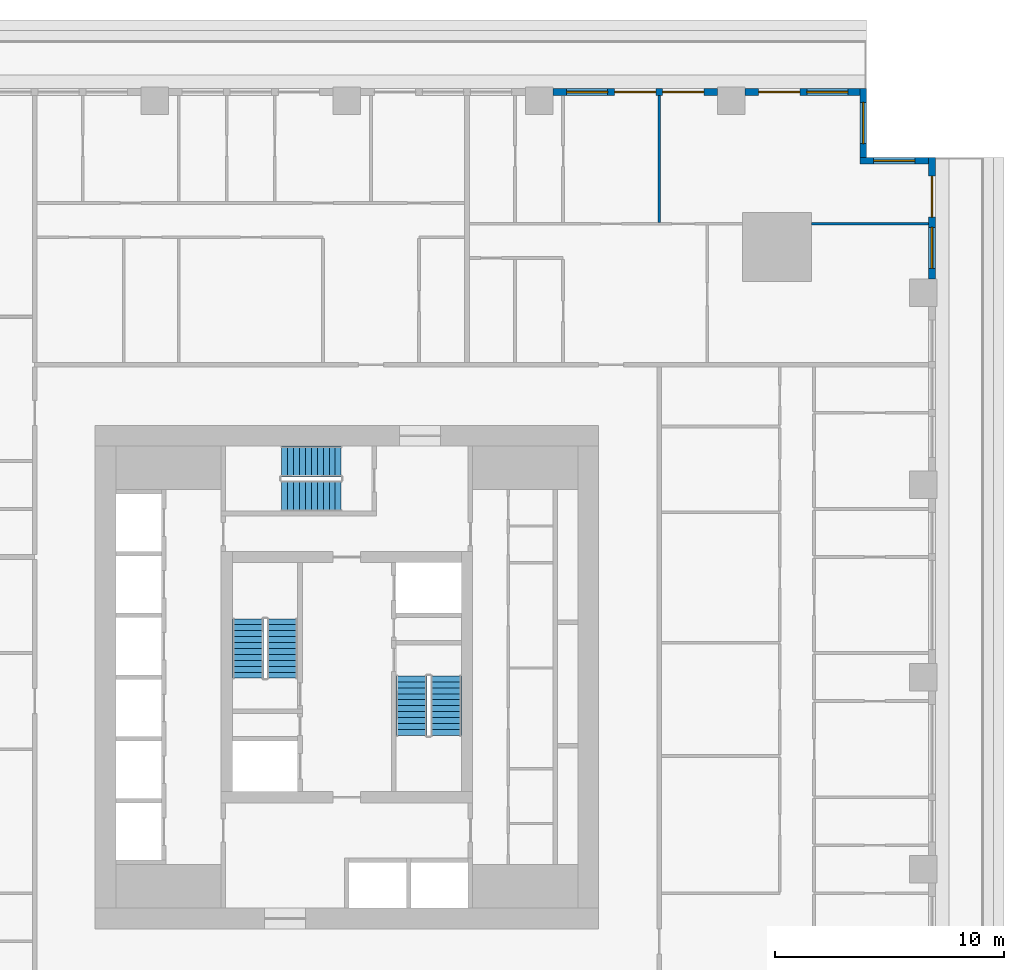
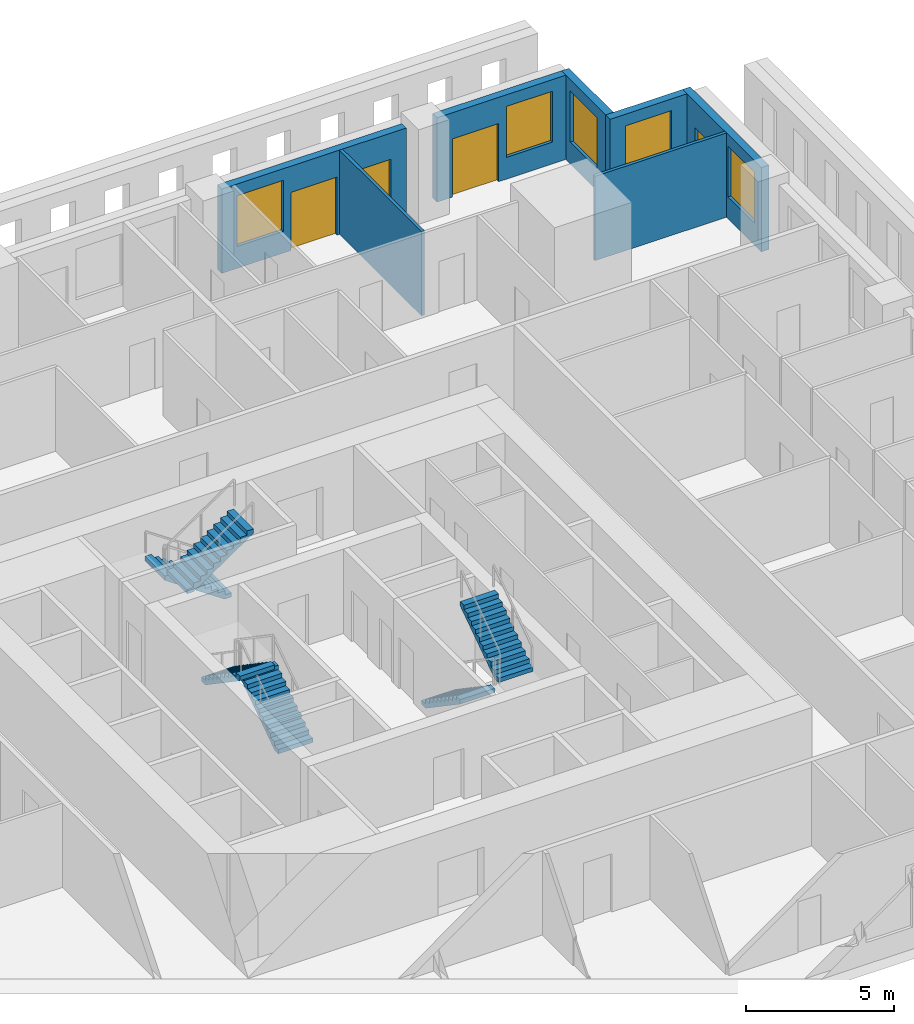
# One storey, part 10 of 15: 7 walls, 6 stair flights, 5 windows, 4 doors, 9 openings, 3 elements without a shape of their own.
"""IFC4 building model written with IfcOpenShell, lengths in metres."""

import ifcopenshell
import ifcopenshell.guid

model = None  # the IFC model being written
_history = None  # IfcOwnerHistory: only IFC2X3 demands one
_inside = {}  # id of a spatial element -> (the spatial element, [elements in it])
_under = {}  # id of a project, library or spatial element -> (it, [spatial elements below it])
_declared = {}  # id of a project -> (the project, [libraries it declares])
_typed = {}  # id of a type object -> (the type object, [elements of that type])
_made_of = {}  # id of a material, layer set ... -> (it, [elements and type objects made of it])


def new_model(schema):
    """Start an empty IFC model of exactly this schema.

    Asked for "IFC4X3", IfcOpenShell would pick the latest addendum, in which some entities
    have other attributes; the version numbers below select the first issue.
    IFC2X3 requires an IfcOwnerHistory on every rooted entity: one is made here for all.
    """
    global model, _history
    if schema == "IFC4X3":
        model = ifcopenshell.file(schema_version=(4, 3, 0, 0))
    else:
        model = ifcopenshell.file(schema=schema)
    _inside.clear()
    _under.clear()
    _declared.clear()
    _typed.clear()
    _made_of.clear()
    _history = None
    if model.schema == "IFC2X3":
        org = make("IfcOrganization", Name="unknown")
        user = make(
            "IfcPersonAndOrganization",
            ThePerson=make("IfcPerson", FamilyName="unknown"),
            TheOrganization=org,
        )
        app = make(
            "IfcApplication",
            ApplicationDeveloper=org,
            Version="unknown",
            ApplicationFullName="unknown",
            ApplicationIdentifier="unknown",
        )
        _history = make(
            "IfcOwnerHistory",
            OwningUser=user,
            OwningApplication=app,
            ChangeAction="ADDED",
            CreationDate=0,
        )
    return model


def make(cls, **values):
    """One entity of the class cls with the attributes given. An attribute that is None is left unset."""
    return model.create_entity(
        cls, **{name: value for name, value in values.items() if value is not None}
    )


def rooted(cls, **values):
    """An entity with a GlobalId (a new one), such as an element, a storey or a relation."""
    return make(cls, GlobalId=ifcopenshell.guid.new(), OwnerHistory=_history, **values)


def si_unit(unit_type, name, prefix=None):
    """IfcSIUnit, for example si_unit("LENGTHUNIT", "METRE", prefix="MILLI")."""
    return make("IfcSIUnit", UnitType=unit_type, Prefix=prefix, Name=name)


def assignment(units):
    """IfcUnitAssignment: the units of a project."""
    return None if units is None else make("IfcUnitAssignment", Units=units)


def point(xyz):
    """IfcCartesianPoint."""
    return None if xyz is None else make("IfcCartesianPoint", Coordinates=xyz)


def direction(xyz):
    """IfcDirection."""
    return None if xyz is None else make("IfcDirection", DirectionRatios=xyz)


def frame(location, z_axis=None, x_axis=None):
    """IfcAxis2Placement3D, a coordinate frame: its origin and axes. An axis left out is left unset."""
    return make(
        "IfcAxis2Placement3D",
        Location=point(location),
        Axis=direction(z_axis),
        RefDirection=direction(x_axis),
    )


def frame_2d(location, x_axis=None):
    """IfcAxis2Placement2D, a coordinate frame in the plane: its origin and x axis."""
    return make(
        "IfcAxis2Placement2D", Location=point(location), RefDirection=direction(x_axis)
    )


def origin():
    """The frame at (0, 0, 0) with its axes left unset."""
    return frame((0.0, 0.0, 0.0))


def place(relative_to, where):
    """IfcLocalPlacement: puts the frame where relative to a parent placement (None: the world)."""
    return make(
        "IfcLocalPlacement", PlacementRelTo=relative_to, RelativePlacement=where
    )


def context(
    kind, dimensions, precision=None, world=None, true_north=None, identifier=None
):
    """IfcGeometricRepresentationContext, for example the 3D "Model" context."""
    return make(
        "IfcGeometricRepresentationContext",
        ContextIdentifier=identifier,
        ContextType=kind,
        CoordinateSpaceDimension=dimensions,
        Precision=precision,
        WorldCoordinateSystem=world,
        TrueNorth=true_north,
    )


def subcontext(parent, identifier, kind, view, scale=None):
    """IfcGeometricRepresentationSubContext, for example "Body" below "Model"."""
    return make(
        "IfcGeometricRepresentationSubContext",
        ContextIdentifier=identifier,
        ContextType=kind,
        ParentContext=parent,
        TargetScale=scale,
        TargetView=view,
    )


def project(units=None, contexts=None):
    """IfcProject with its units and contexts."""
    return rooted(
        "IfcProject",
        Name="project",
        RepresentationContexts=contexts,
        UnitsInContext=assignment(units),
    )


def spatial(cls, under=None, at=None, **own):
    """A site, building, storey or space (cls), placed at a placement, below another one or the project."""
    s = rooted(cls, ObjectPlacement=at, **own)
    if under is not None:
        _under.setdefault(under.id(), (under, []))[1].append(s)
    return s


def polyline(points):
    """IfcPolyline through the points."""
    return make("IfcPolyline", Points=[point(p) for p in points])


def profile(cls, at=None, kind="AREA", **sizes):
    """A parametric profile (cls). Its sizes go by their IFC names, for example OverallWidth=200.0."""
    return make(cls, ProfileType=kind, Position=at, **sizes)


def rectangle(**sizes):
    """IfcRectangleProfileDef."""
    return profile("IfcRectangleProfileDef", **sizes)


def outline(outer, holes=None, kind="AREA"):
    """IfcArbitraryClosedProfileDef: a profile drawn as a closed curve; with holes, ...WithVoids."""
    if holes is None:
        return make("IfcArbitraryClosedProfileDef", ProfileType=kind, OuterCurve=outer)
    return make(
        "IfcArbitraryProfileDefWithVoids",
        ProfileType=kind,
        OuterCurve=outer,
        InnerCurves=holes,
    )


def extrude(swept, where, along, depth):
    """IfcExtrudedAreaSolid: the profile swept, set in the frame where, extruded along a direction by depth."""
    return make(
        "IfcExtrudedAreaSolid",
        SweptArea=swept,
        Position=where,
        ExtrudedDirection=direction(along),
        Depth=depth,
    )


def shape(context_of_items, identifier, shape_type, items):
    """IfcShapeRepresentation: the items that make up one representation, for example the "Body"."""
    return make(
        "IfcShapeRepresentation",
        ContextOfItems=context_of_items,
        RepresentationIdentifier=identifier,
        RepresentationType=shape_type,
        Items=items,
    )


def material(Name=None, Category=None):
    """IfcMaterial."""
    return make("IfcMaterial", Name=Name, Category=Category)


def layer(
    of_material, thickness, ventilated=None, Name=None, Category=None, Priority=None
):
    """IfcMaterialLayer: one layer of a wall or slab, of a material (None: an air gap)."""
    return make(
        "IfcMaterialLayer",
        Material=of_material,
        LayerThickness=thickness,
        IsVentilated=ventilated,
        Name=Name,
        Category=Category,
        Priority=Priority,
    )


def layer_set(layers, Name=None):
    """IfcMaterialLayerSet."""
    return make("IfcMaterialLayerSet", MaterialLayers=layers, LayerSetName=Name)


def made_of(thing, what):
    """Note that an element or type object is made of a material, layer set ...; save() writes the relation."""
    if what is not None:
        _made_of.setdefault(what.id(), (what, []))[1].append(thing)
    return thing


def type_object(cls, material=None, **own):
    """A type object (cls), such as IfcWallType, which elements share."""
    return made_of(rooted(cls, **own), material)


def element(
    cls,
    number,
    at=None,
    inside=None,
    cuts=None,
    type_object=None,
    material=None,
    context=None,
    identifier="Body",
    shape_type=None,
    held_by="IfcProductDefinitionShape",
    body=None,
    shapes=None,
    **own,
):
    """One element of the class cls, such as IfcWall. Its Tag is "e" and its number.

    at: its placement. inside: the storey or other place that contains it. cuts: it is an
    opening in that element (IfcRelVoidsElement). A single representation is given by context,
    identifier, shape_type and body (its items); several are given by shapes. held_by: the class
    of the entity that holds the representations. save() writes the other relations.
    """
    e = rooted(cls, Tag="e%d" % number, ObjectPlacement=at, **own)
    if body is not None:
        shapes = [shape(context, identifier, shape_type, body)]
    if shapes is not None:
        e.Representation = make(held_by, Representations=shapes)
    if inside is not None:
        _inside.setdefault(inside.id(), (inside, []))[1].append(e)
    if cuts is not None:
        rooted(
            "IfcRelVoidsElement", RelatingBuildingElement=cuts, RelatedOpeningElement=e
        )
    if type_object is not None:
        _typed.setdefault(type_object.id(), (type_object, []))[1].append(e)
    return made_of(e, material)


def fill(opening, filler):
    """IfcRelFillsElement: the door or window that sits in an opening."""
    return rooted(
        "IfcRelFillsElement",
        RelatingOpeningElement=opening,
        RelatedBuildingElement=filler,
    )


def aggregate(whole, parts):
    """IfcRelAggregates: a whole, such as a stair, and the parts it consists of."""
    return rooted("IfcRelAggregates", RelatingObject=whole, RelatedObjects=parts)


def save(model, path):
    """Write the relations noted so far, then the file.

    IfcRelAggregates (storeys below a building ...), IfcRelContainedInSpatialStructure (elements
    in a storey), IfcRelDefinesByType, IfcRelAssociatesMaterial and IfcRelDeclares: one each for
    every whole, place, type object, material and project.
    """
    for whole, parts in _under.values():
        aggregate(whole, parts)
    for where, things in _inside.values():
        rooted(
            "IfcRelContainedInSpatialStructure",
            RelatedElements=things,
            RelatingStructure=where,
        )
    for kind, things in _typed.values():
        rooted("IfcRelDefinesByType", RelatedObjects=things, RelatingType=kind)
    for what, things in _made_of.values():
        rooted("IfcRelAssociatesMaterial", RelatedObjects=things, RelatingMaterial=what)
    for by, libraries in _declared.values():
        rooted("IfcRelDeclares", RelatingContext=by, RelatedDefinitions=libraries)
    model.write(path)


model = new_model("IFC4")

# Units and contexts
model_context = context("Model", 3, precision=1e-05, world=origin(), true_north=direction((0.0, 1.0)))
body_context = subcontext(model_context, "Body", "Model", "MODEL_VIEW")
ifc_project = project(units=[si_unit("LENGTHUNIT", "METRE"), si_unit("AREAUNIT", "SQUARE_METRE"), si_unit("VOLUMEUNIT", "CUBIC_METRE"), si_unit("PLANEANGLEUNIT", "RADIAN"), si_unit("MASSUNIT", "GRAM", prefix="KILO")], contexts=[model_context])

# Site, building, storey
site_placement = place(None, origin())
site = spatial("IfcSite", under=ifc_project, at=site_placement, CompositionType="ELEMENT")
building_placement = place(site_placement, origin())
building = spatial("IfcBuilding", under=site, at=building_placement, Name="Khepri Terraces", CompositionType="ELEMENT")
storey_placement = place(building_placement, frame((0.0, 0.0, 54.300048828125)))
storey = spatial("IfcBuildingStorey", under=building, at=storey_placement, Name="L12", CompositionType="ELEMENT", Elevation=54.300048828125)

# Wall, openings, door, window
ifc_material_1 = material(Name="Precast concrete C50/60 warm stone", Category="masonry")
ifc_layer_1 = layer(ifc_material_1, 0.300048828125, Name="Precast concrete C50/60 warm stone", Category="masonry")
ifc_layer_set_1 = layer_set([ifc_layer_1], Name="Precast concrete C50/60 warm stone")
wall_type_1 = type_object("IfcWallType", Name="WL-EXT-PRECAST-300", PredefinedType="STANDARD", material=ifc_layer_set_1)
wall_1_placement = place(storey_placement, frame((25.570068359375, 17.39990234375, 0.0), z_axis=(0.0, 0.0, 1.0), x_axis=(0.0, 1.0, 0.0)))
wall_1 = element("IfcWall", 1, at=wall_1_placement, inside=storey, type_object=wall_type_1, Name="External wall L12 E", PredefinedType="STANDARD", context=body_context, shape_type="SweptSolid", body=[
    extrude(rectangle(XDim=5.320068359375, YDim=0.300048828125, at=frame_2d((2.66015625, 0.0))), origin(), (0.0, 0.0, 1.0), 3.47998046875),
])
opening_1_placement = place(wall_1_placement, frame((2.699951171875, 0.0, 0.0)))
opening_1 = element("IfcOpeningElement", 2, at=opening_1_placement, cuts=wall_1, Name="Opening ED-L12-04", PredefinedType="OPENING", context=body_context, shape_type="SweptSolid", body=[
    extrude(rectangle(XDim=1.800048828125, YDim=2.39990234375, at=frame_2d((0.89990234375, 1.199951171875))), frame((0.0, 0.16015625, 0.0), z_axis=(0.0, -1.0, 0.0), x_axis=(1.0, 0.0, 0.0)), (0.0, 0.0, 1.0), 0.320068359375),
])
opening_2_placement = place(wall_1_placement, frame((0.4599609375, 0.0, 0.89990234375)))
opening_2 = element("IfcOpeningElement", 3, at=opening_2_placement, cuts=wall_1, Name="Opening W1", PredefinedType="OPENING", context=body_context, shape_type="SweptSolid", body=[
    extrude(rectangle(XDim=1.800048828125, YDim=2.10009765625, at=frame_2d((0.89990234375, 1.050048828125))), frame((0.0, 0.16015625, 0.0), z_axis=(0.0, -1.0, 0.0), x_axis=(1.0, 0.0, 0.0)), (0.0, 0.0, 1.0), 0.320068359375),
])
ifc_material_2 = material(Name="Anodised aluminium bronze glazed door", Category="aluminium")
door_type = type_object("IfcDoorType", Name="DR-BAL-SLIDE-1800x2400", OperationType="NOTDEFINED", PredefinedType="DOOR", material=ifc_material_2)
door_1_placement = place(opening_1_placement, origin())
door_1 = element("IfcDoor", 4, at=door_1_placement, inside=storey, type_object=door_type, Name="Balcony door L12 E", OperationType="SLIDING_TO_LEFT", OverallHeight=2.39990234375, OverallWidth=1.800048828125, PredefinedType="DOOR", context=body_context, shape_type="SweptSolid", body=[
    extrude(rectangle(XDim=1.800048828125, YDim=2.39990234375, at=frame_2d((0.89990234375, 1.199951171875))), frame((0.0, 0.02490234375, 0.0), z_axis=(0.0, -1.0, 0.0), x_axis=(1.0, 0.0, 0.0)), (0.0, 0.0, 1.0), 0.050048828125),
])
fill(opening_1, door_1)
ifc_material_3 = material(Name="Clear glass", Category="glass")
window_type = type_object("IfcWindowType", Name="WIN-RES-1800x2100", PartitioningType="SINGLE_PANEL", PredefinedType="WINDOW", material=ifc_material_3)
window_1_placement = place(opening_2_placement, origin())
window_1 = element("IfcWindow", 5, at=window_1_placement, inside=storey, type_object=window_type, Name="Window L12 E", OverallHeight=2.10009765625, OverallWidth=1.800048828125, PartitioningType="SINGLE_PANEL", PredefinedType="WINDOW", context=body_context, shape_type="SweptSolid", body=[
    extrude(rectangle(XDim=1.800048828125, YDim=2.10009765625, at=frame_2d((0.89990234375, 1.050048828125))), frame((0.0, 0.030029296875, 0.0), z_axis=(0.0, -1.0, 0.0), x_axis=(1.0, 0.0, 0.0)), (0.0, 0.0, 1.0), 0.06005859375),
])
fill(opening_2, window_1)

# Wall, opening, window
wall_2_placement = place(storey_placement, frame((25.419921875, 22.570068359375, 0.0), z_axis=(0.0, 0.0, 1.0), x_axis=(-1.0, 0.0, 0.0)))
wall_2 = element("IfcWall", 6, at=wall_2_placement, inside=storey, type_object=wall_type_1, Name="External wall L12 N", PredefinedType="STANDARD", context=body_context, shape_type="SweptSolid", body=[
    extrude(rectangle(XDim=3.0, YDim=0.300048828125, at=frame_2d((1.5, 0.0))), origin(), (0.0, 0.0, 1.0), 3.47998046875),
])
opening_3_placement = place(wall_2_placement, frame((0.60009765625, 0.0, 0.89990234375)))
opening_3 = element("IfcOpeningElement", 7, at=opening_3_placement, cuts=wall_2, Name="Opening W1", PredefinedType="OPENING", context=body_context, shape_type="SweptSolid", body=[
    extrude(rectangle(XDim=1.800048828125, YDim=2.10009765625, at=frame_2d((0.89990234375, 1.050048828125))), frame((0.0, 0.16015625, 0.0), z_axis=(0.0, -1.0, 0.0), x_axis=(1.0, 0.0, 0.0)), (0.0, 0.0, 1.0), 0.320068359375),
])
window_2_placement = place(opening_3_placement, origin())
window_2 = element("IfcWindow", 8, at=window_2_placement, inside=storey, type_object=window_type, Name="Window L12 N", OverallHeight=2.10009765625, OverallWidth=1.800048828125, PartitioningType="SINGLE_PANEL", PredefinedType="WINDOW", context=body_context, shape_type="SweptSolid", body=[
    extrude(rectangle(XDim=1.800048828125, YDim=2.10009765625, at=frame_2d((0.89990234375, 1.050048828125))), frame((0.0, 0.030029296875, 0.0), z_axis=(0.0, -1.0, 0.0), x_axis=(1.0, 0.0, 0.0)), (0.0, 0.0, 1.0), 0.06005859375),
])
fill(opening_3, window_2)

wall_3_placement = place(storey_placement, frame((22.570068359375, 22.719970703125, 0.0), z_axis=(0.0, 0.0, 1.0), x_axis=(0.0, 1.0, 0.0)))
wall_3 = element("IfcWall", 9, at=wall_3_placement, inside=storey, type_object=wall_type_1, Name="External wall L12 E", PredefinedType="STANDARD", context=body_context, shape_type="SweptSolid", body=[
    extrude(rectangle(XDim=3.0, YDim=0.300048828125, at=frame_2d((1.5, 0.0))), origin(), (0.0, 0.0, 1.0), 3.47998046875),
])
opening_4_placement = place(wall_3_placement, frame((0.60009765625, 0.0, 0.89990234375)))
opening_4 = element("IfcOpeningElement", 10, at=opening_4_placement, cuts=wall_3, Name="Opening W1", PredefinedType="OPENING", context=body_context, shape_type="SweptSolid", body=[
    extrude(rectangle(XDim=1.800048828125, YDim=2.10009765625, at=frame_2d((0.89990234375, 1.050048828125))), frame((0.0, 0.16015625, 0.0), z_axis=(0.0, -1.0, 0.0), x_axis=(1.0, 0.0, 0.0)), (0.0, 0.0, 1.0), 0.320068359375),
])
window_3_placement = place(opening_4_placement, origin())
window_3 = element("IfcWindow", 11, at=window_3_placement, inside=storey, type_object=window_type, Name="Window L12 E", OverallHeight=2.10009765625, OverallWidth=1.800048828125, PartitioningType="SINGLE_PANEL", PredefinedType="WINDOW", context=body_context, shape_type="SweptSolid", body=[
    extrude(rectangle(XDim=1.800048828125, YDim=2.10009765625, at=frame_2d((0.89990234375, 1.050048828125))), frame((0.0, 0.030029296875, 0.0), z_axis=(0.0, -1.0, 0.0), x_axis=(1.0, 0.0, 0.0)), (0.0, 0.0, 1.0), 0.06005859375),
])
fill(opening_4, window_3)

# Wall, openings, door, window
wall_4_placement = place(storey_placement, frame((22.419921875, 25.570068359375, 0.0), z_axis=(0.0, 0.0, 1.0), x_axis=(-1.0, 0.0, 0.0)))
wall_4 = element("IfcWall", 12, at=wall_4_placement, inside=storey, type_object=wall_type_1, Name="External wall L12 N", PredefinedType="STANDARD", context=body_context, shape_type="SweptSolid", body=[
    extrude(rectangle(XDim=5.02001953125, YDim=0.300048828125, at=frame_2d((2.510009765625, 0.0))), origin(), (0.0, 0.0, 1.0), 3.47998046875),
])
opening_5_placement = place(wall_4_placement, frame((0.52001953125, 0.0, 0.89990234375)))
opening_5 = element("IfcOpeningElement", 13, at=opening_5_placement, cuts=wall_4, Name="Opening W1", PredefinedType="OPENING", context=body_context, shape_type="SweptSolid", body=[
    extrude(rectangle(XDim=1.800048828125, YDim=2.10009765625, at=frame_2d((0.89990234375, 1.050048828125))), frame((0.0, 0.16015625, 0.0), z_axis=(0.0, -1.0, 0.0), x_axis=(1.0, 0.0, 0.0)), (0.0, 0.0, 1.0), 0.320068359375),
])
opening_6_placement = place(wall_4_placement, frame((2.6201171875, 0.0, 0.0)))
opening_6 = element("IfcOpeningElement", 14, at=opening_6_placement, cuts=wall_4, Name="Opening ED-L12-05", PredefinedType="OPENING", context=body_context, shape_type="SweptSolid", body=[
    extrude(rectangle(XDim=1.800048828125, YDim=2.39990234375, at=frame_2d((0.89990234375, 1.199951171875))), frame((0.0, 0.16015625, 0.0), z_axis=(0.0, -1.0, 0.0), x_axis=(1.0, 0.0, 0.0)), (0.0, 0.0, 1.0), 0.320068359375),
])
door_2_placement = place(opening_6_placement, origin())
door_2 = element("IfcDoor", 15, at=door_2_placement, inside=storey, type_object=door_type, Name="Balcony door L12 N", OperationType="SLIDING_TO_RIGHT", OverallHeight=2.39990234375, OverallWidth=1.800048828125, PredefinedType="DOOR", context=body_context, shape_type="SweptSolid", body=[
    extrude(rectangle(XDim=1.800048828125, YDim=2.39990234375, at=frame_2d((0.89990234375, 1.199951171875))), frame((0.0, 0.02490234375, 0.0), z_axis=(0.0, -1.0, 0.0), x_axis=(1.0, 0.0, 0.0)), (0.0, 0.0, 1.0), 0.050048828125),
])
fill(opening_6, door_2)
window_4_placement = place(opening_5_placement, origin())
window_4 = element("IfcWindow", 16, at=window_4_placement, inside=storey, type_object=window_type, Name="Window L12 N", OverallHeight=2.10009765625, OverallWidth=1.800048828125, PartitioningType="SINGLE_PANEL", PredefinedType="WINDOW", context=body_context, shape_type="SweptSolid", body=[
    extrude(rectangle(XDim=1.800048828125, YDim=2.10009765625, at=frame_2d((0.89990234375, 1.050048828125))), frame((0.0, 0.030029296875, 0.0), z_axis=(0.0, -1.0, 0.0), x_axis=(1.0, 0.0, 0.0)), (0.0, 0.0, 1.0), 0.06005859375),
])
fill(opening_5, window_4)

# Wall, openings, doors, window
wall_5_placement = place(storey_placement, frame((16.199951171875, 25.570068359375, 0.0), z_axis=(0.0, 0.0, 1.0), x_axis=(-1.0, 0.0, 0.0)))
wall_5 = element("IfcWall", 17, at=wall_5_placement, inside=storey, type_object=wall_type_1, Name="External wall L12 N", PredefinedType="STANDARD", context=body_context, shape_type="SweptSolid", body=[
    extrude(rectangle(XDim=7.199951171875, YDim=0.300048828125, at=frame_2d((3.60009765625, 0.0))), origin(), (0.0, 0.0, 1.0), 3.47998046875),
])
opening_7_placement = place(wall_5_placement, frame((0.60009765625, 0.0, 0.0)))
opening_7 = element("IfcOpeningElement", 18, at=opening_7_placement, cuts=wall_5, Name="Opening ED-L12-06", PredefinedType="OPENING", context=body_context, shape_type="SweptSolid", body=[
    extrude(rectangle(XDim=1.800048828125, YDim=2.39990234375, at=frame_2d((0.89990234375, 1.199951171875))), frame((0.0, 0.16015625, 0.0), z_axis=(0.0, -1.0, 0.0), x_axis=(1.0, 0.0, 0.0)), (0.0, 0.0, 1.0), 0.320068359375),
])
opening_8_placement = place(wall_5_placement, frame((2.699951171875, 0.0, 0.0)))
opening_8 = element("IfcOpeningElement", 19, at=opening_8_placement, cuts=wall_5, Name="Opening ED-L12-07", PredefinedType="OPENING", context=body_context, shape_type="SweptSolid", body=[
    extrude(rectangle(XDim=1.800048828125, YDim=2.39990234375, at=frame_2d((0.89990234375, 1.199951171875))), frame((0.0, 0.16015625, 0.0), z_axis=(0.0, -1.0, 0.0), x_axis=(1.0, 0.0, 0.0)), (0.0, 0.0, 1.0), 0.320068359375),
])
opening_9_placement = place(wall_5_placement, frame((4.800048828125, 0.0, 0.89990234375)))
opening_9 = element("IfcOpeningElement", 20, at=opening_9_placement, cuts=wall_5, Name="Opening W1", PredefinedType="OPENING", context=body_context, shape_type="SweptSolid", body=[
    extrude(rectangle(XDim=1.800048828125, YDim=2.10009765625, at=frame_2d((0.89990234375, 1.050048828125))), frame((0.0, 0.16015625, 0.0), z_axis=(0.0, -1.0, 0.0), x_axis=(1.0, 0.0, 0.0)), (0.0, 0.0, 1.0), 0.320068359375),
])
door_3_placement = place(opening_7_placement, origin())
door_3 = element("IfcDoor", 21, at=door_3_placement, inside=storey, type_object=door_type, Name="Balcony door L12 N", OperationType="SLIDING_TO_LEFT", OverallHeight=2.39990234375, OverallWidth=1.800048828125, PredefinedType="DOOR", context=body_context, shape_type="SweptSolid", body=[
    extrude(rectangle(XDim=1.800048828125, YDim=2.39990234375, at=frame_2d((0.89990234375, 1.199951171875))), frame((0.0, 0.02490234375, 0.0), z_axis=(0.0, -1.0, 0.0), x_axis=(1.0, 0.0, 0.0)), (0.0, 0.0, 1.0), 0.050048828125),
])
fill(opening_7, door_3)
door_4_placement = place(opening_8_placement, origin())
door_4 = element("IfcDoor", 22, at=door_4_placement, inside=storey, type_object=door_type, Name="Balcony door L12 N", OperationType="SLIDING_TO_RIGHT", OverallHeight=2.39990234375, OverallWidth=1.800048828125, PredefinedType="DOOR", context=body_context, shape_type="SweptSolid", body=[
    extrude(rectangle(XDim=1.800048828125, YDim=2.39990234375, at=frame_2d((0.89990234375, 1.199951171875))), frame((0.0, 0.02490234375, 0.0), z_axis=(0.0, -1.0, 0.0), x_axis=(1.0, 0.0, 0.0)), (0.0, 0.0, 1.0), 0.050048828125),
])
fill(opening_8, door_4)
window_5_placement = place(opening_9_placement, origin())
window_5 = element("IfcWindow", 23, at=window_5_placement, inside=storey, type_object=window_type, Name="Window L12 N", OverallHeight=2.10009765625, OverallWidth=1.800048828125, PartitioningType="SINGLE_PANEL", PredefinedType="WINDOW", context=body_context, shape_type="SweptSolid", body=[
    extrude(rectangle(XDim=1.800048828125, YDim=2.10009765625, at=frame_2d((0.89990234375, 1.050048828125))), frame((0.0, 0.030029296875, 0.0), z_axis=(0.0, -1.0, 0.0), x_axis=(1.0, 0.0, 0.0)), (0.0, 0.0, 1.0), 0.06005859375),
])
fill(opening_9, window_5)

# Walls
ifc_material_4 = material(Name="Gypsum plasterboard partition")
ifc_layer_2 = layer(ifc_material_4, 0.1201171875, Name="Gypsum plasterboard partition")
ifc_layer_set_2 = layer_set([ifc_layer_2], Name="Gypsum plasterboard partition")
wall_type_2 = type_object("IfcWallType", Name="WL-PART-120", PredefinedType="PARTITIONING", material=ifc_layer_set_2)
wall_6_placement = place(storey_placement, frame((20.300048828125, 19.820068359375, 0.0), z_axis=(0.0, 0.0, 1.0), x_axis=(1.0, 0.0, 0.0)))
element("IfcWall", 24, at=wall_6_placement, inside=storey, type_object=wall_type_2, Name="Partition P-099 L12", PredefinedType="PARTITIONING", context=body_context, shape_type="SweptSolid", body=[
    extrude(rectangle(XDim=5.119873046875, YDim=0.1201171875, at=frame_2d((2.56005859375, 0.0))), origin(), (0.0, 0.0, 1.0), 3.47998046875),
])
wall_7_placement = place(storey_placement, frame((13.64990234375, 19.8798828125, 0.0), z_axis=(0.0, 0.0, 1.0), x_axis=(0.0, 1.0, 0.0)))
element("IfcWall", 25, at=wall_7_placement, inside=storey, type_object=wall_type_2, Name="Partition P-102 L12", PredefinedType="PARTITIONING", context=body_context, shape_type="SweptSolid", body=[
    extrude(rectangle(XDim=5.5400390625, YDim=0.1201171875, at=frame_2d((2.77001953125, 0.0))), origin(), (0.0, 0.0, 1.0), 3.47998046875),
])

# Stair, stair flights
ifc_material_5 = material(Name="Concrete C40/50", Category="concrete")
stair_type = type_object("IfcStairType", Name="STAIR-RC-22R", PredefinedType="HALF_TURN_STAIR", material=ifc_material_5)
stair_1_placement = place(storey_placement, origin())
stair_1 = element("IfcStair", 26, at=stair_1_placement, inside=storey, type_object=stair_type, Name="L12 Exit Stair ST-1", PredefinedType="HALF_TURN_STAIR")
stair_flight_type = type_object("IfcStairFlightType", Name="SFL-RC-177.3", PredefinedType="STRAIGHT", material=ifc_material_5)
stair_flight_1_placement = place(storey_placement, frame((-2.824951171875, -0.050048828125, 0.0), z_axis=(0.0, 0.0, 1.0), x_axis=(0.0, 1.0, 0.0)))
stair_flight_1 = element("IfcStairFlight", 27, at=stair_flight_1_placement, type_object=stair_flight_type, Name="ST-1 flight 1", NumberOfRisers=11, NumberOfTreads=10, PredefinedType="STRAIGHT", RiserHeight=0.177272727, TreadLength=0.26, context=body_context, shape_type="SweptSolid", body=[
    extrude(outline(polyline([(0.0, 0.0), (0.0, 0.17724609375), (0.260009765625, 0.17724609375), (0.260009765625, 0.3544921875), (0.52001953125, 0.3544921875), (0.52001953125, 0.53173828125), (0.780029296875, 0.53173828125), (0.780029296875, 0.708984375), (1.0400390625, 0.708984375), (1.0400390625, 0.886474609375), (1.300048828125, 0.886474609375), (1.300048828125, 1.063720703125), (1.56005859375, 1.063720703125), (1.56005859375, 1.240966796875), (1.820068359375, 1.240966796875), (1.820068359375, 1.418212890625), (2.080078125, 1.418212890625), (2.080078125, 1.595458984375), (2.340087890625, 1.595458984375), (2.340087890625, 1.772705078125), (2.60009765625, 1.772705078125), (2.60009765625, 1.949951171875), (2.60009765625, 1.59130859375), (0.26611328125, 0.0), (0.0, 0.0)])), frame((0.0, 0.675048828125, 0.0), z_axis=(0.0, -1.0, 0.0), x_axis=(1.0, 0.0, 0.0)), (0.0, 0.0, 1.0), 1.35009765625),
])
stair_flight_2_placement = place(storey_placement, frame((-4.324951171875, 2.550048828125, 1.949951171875), z_axis=(0.0, 0.0, 1.0), x_axis=(0.0, -1.0, 0.0)))
stair_flight_2 = element("IfcStairFlight", 28, at=stair_flight_2_placement, type_object=stair_flight_type, Name="ST-1 flight 2", NumberOfRisers=11, NumberOfTreads=10, PredefinedType="STRAIGHT", RiserHeight=0.177272727, TreadLength=0.26, context=body_context, shape_type="SweptSolid", body=[
    extrude(outline(polyline([(0.0, 0.0), (0.0, 0.17724609375), (0.260009765625, 0.17724609375), (0.260009765625, 0.3544921875), (0.52001953125, 0.3544921875), (0.52001953125, 0.53173828125), (0.780029296875, 0.53173828125), (0.780029296875, 0.708984375), (1.0400390625, 0.708984375), (1.0400390625, 0.886474609375), (1.300048828125, 0.886474609375), (1.300048828125, 1.063720703125), (1.56005859375, 1.063720703125), (1.56005859375, 1.240966796875), (1.820068359375, 1.240966796875), (1.820068359375, 1.418212890625), (2.080078125, 1.418212890625), (2.080078125, 1.595458984375), (2.340087890625, 1.595458984375), (2.340087890625, 1.772705078125), (2.60009765625, 1.772705078125), (2.60009765625, 1.949951171875), (2.60009765625, 1.59130859375), (0.26611328125, 0.0), (0.0, 0.0)])), frame((0.0, 0.675048828125, 0.0), z_axis=(0.0, -1.0, 0.0), x_axis=(1.0, 0.0, 0.0)), (0.0, 0.0, 1.0), 1.35009765625),
])
aggregate(stair_1, [stair_flight_1, stair_flight_2])

stair_2_placement = place(storey_placement, origin())
stair_2 = element("IfcStair", 29, at=stair_2_placement, inside=storey, type_object=stair_type, Name="L12 Exit Stair ST-2", PredefinedType="HALF_TURN_STAIR")
stair_flight_3_placement = place(storey_placement, frame((2.824951171875, 0.050048828125, 0.0), z_axis=(0.0, 0.0, 1.0), x_axis=(0.0, -1.0, 0.0)))
stair_flight_3 = element("IfcStairFlight", 30, at=stair_flight_3_placement, type_object=stair_flight_type, Name="ST-2 flight 1", NumberOfRisers=11, NumberOfTreads=10, PredefinedType="STRAIGHT", RiserHeight=0.177272727, TreadLength=0.26, context=body_context, shape_type="SweptSolid", body=[
    extrude(outline(polyline([(0.0, 0.0), (0.0, 0.17724609375), (0.260009765625, 0.17724609375), (0.260009765625, 0.3544921875), (0.52001953125, 0.3544921875), (0.52001953125, 0.53173828125), (0.780029296875, 0.53173828125), (0.780029296875, 0.708984375), (1.0400390625, 0.708984375), (1.0400390625, 0.886474609375), (1.300048828125, 0.886474609375), (1.300048828125, 1.063720703125), (1.56005859375, 1.063720703125), (1.56005859375, 1.240966796875), (1.820068359375, 1.240966796875), (1.820068359375, 1.418212890625), (2.080078125, 1.418212890625), (2.080078125, 1.595458984375), (2.340087890625, 1.595458984375), (2.340087890625, 1.772705078125), (2.60009765625, 1.772705078125), (2.60009765625, 1.949951171875), (2.60009765625, 1.59130859375), (0.26611328125, 0.0), (0.0, 0.0)])), frame((0.0, 0.675048828125, 0.0), z_axis=(0.0, -1.0, 0.0), x_axis=(1.0, 0.0, 0.0)), (0.0, 0.0, 1.0), 1.35009765625),
])
stair_flight_4_placement = place(storey_placement, frame((4.324951171875, -2.550048828125, 1.949951171875), z_axis=(0.0, 0.0, 1.0), x_axis=(0.0, 1.0, 0.0)))
stair_flight_4 = element("IfcStairFlight", 31, at=stair_flight_4_placement, type_object=stair_flight_type, Name="ST-2 flight 2", NumberOfRisers=11, NumberOfTreads=10, PredefinedType="STRAIGHT", RiserHeight=0.177272727, TreadLength=0.26, context=body_context, shape_type="SweptSolid", body=[
    extrude(outline(polyline([(0.0, 0.0), (0.0, 0.17724609375), (0.260009765625, 0.17724609375), (0.260009765625, 0.3544921875), (0.52001953125, 0.3544921875), (0.52001953125, 0.53173828125), (0.780029296875, 0.53173828125), (0.780029296875, 0.708984375), (1.0400390625, 0.708984375), (1.0400390625, 0.886474609375), (1.300048828125, 0.886474609375), (1.300048828125, 1.063720703125), (1.56005859375, 1.063720703125), (1.56005859375, 1.240966796875), (1.820068359375, 1.240966796875), (1.820068359375, 1.418212890625), (2.080078125, 1.418212890625), (2.080078125, 1.595458984375), (2.340087890625, 1.595458984375), (2.340087890625, 1.772705078125), (2.60009765625, 1.772705078125), (2.60009765625, 1.949951171875), (2.60009765625, 1.59130859375), (0.26611328125, 0.0), (0.0, 0.0)])), frame((0.0, 0.675048828125, 0.0), z_axis=(0.0, -1.0, 0.0), x_axis=(1.0, 0.0, 0.0)), (0.0, 0.0, 1.0), 1.35009765625),
])
aggregate(stair_2, [stair_flight_3, stair_flight_4])

stair_3_placement = place(storey_placement, origin())
stair_3 = element("IfcStair", 32, at=stair_3_placement, inside=storey, type_object=stair_type, Name="L12 Exit Stair ST-3", PredefinedType="HALF_TURN_STAIR")
stair_flight_5_placement = place(storey_placement, frame((-0.25, 9.425048828125, 0.0), z_axis=(0.0, 0.0, 1.0), x_axis=(-1.0, 0.0, 0.0)))
stair_flight_5 = element("IfcStairFlight", 33, at=stair_flight_5_placement, type_object=stair_flight_type, Name="ST-3 flight 1", NumberOfRisers=11, NumberOfTreads=10, PredefinedType="STRAIGHT", RiserHeight=0.177272727, TreadLength=0.26, context=body_context, shape_type="SweptSolid", body=[
    extrude(outline(polyline([(0.0, 0.0), (0.0, 0.17724609375), (0.260009765625, 0.17724609375), (0.260009765625, 0.3544921875), (0.52001953125, 0.3544921875), (0.52001953125, 0.53173828125), (0.780029296875, 0.53173828125), (0.780029296875, 0.708984375), (1.0400390625, 0.708984375), (1.0400390625, 0.886474609375), (1.300048828125, 0.886474609375), (1.300048828125, 1.063720703125), (1.56005859375, 1.063720703125), (1.56005859375, 1.240966796875), (1.820068359375, 1.240966796875), (1.820068359375, 1.418212890625), (2.080078125, 1.418212890625), (2.080078125, 1.595458984375), (2.340087890625, 1.595458984375), (2.340087890625, 1.772705078125), (2.60009765625, 1.772705078125), (2.60009765625, 1.949951171875), (2.60009765625, 1.59130859375), (0.26611328125, 0.0), (0.0, 0.0)])), frame((0.0, 0.675048828125, 0.0), z_axis=(0.0, -1.0, 0.0), x_axis=(1.0, 0.0, 0.0)), (0.0, 0.0, 1.0), 1.35009765625),
])
stair_flight_6_placement = place(storey_placement, frame((-2.85009765625, 7.925048828125, 1.949951171875), z_axis=(0.0, 0.0, 1.0), x_axis=(1.0, 0.0, 0.0)))
stair_flight_6 = element("IfcStairFlight", 34, at=stair_flight_6_placement, type_object=stair_flight_type, Name="ST-3 flight 2", NumberOfRisers=11, NumberOfTreads=10, PredefinedType="STRAIGHT", RiserHeight=0.177272727, TreadLength=0.26, context=body_context, shape_type="SweptSolid", body=[
    extrude(outline(polyline([(0.0, 0.0), (0.0, 0.17724609375), (0.260009765625, 0.17724609375), (0.260009765625, 0.3544921875), (0.52001953125, 0.3544921875), (0.52001953125, 0.53173828125), (0.780029296875, 0.53173828125), (0.780029296875, 0.708984375), (1.0400390625, 0.708984375), (1.0400390625, 0.886474609375), (1.300048828125, 0.886474609375), (1.300048828125, 1.063720703125), (1.56005859375, 1.063720703125), (1.56005859375, 1.240966796875), (1.820068359375, 1.240966796875), (1.820068359375, 1.418212890625), (2.080078125, 1.418212890625), (2.080078125, 1.595458984375), (2.340087890625, 1.595458984375), (2.340087890625, 1.772705078125), (2.60009765625, 1.772705078125), (2.60009765625, 1.949951171875), (2.60009765625, 1.59130859375), (0.26611328125, 0.0), (0.0, 0.0)])), frame((0.0, 0.675048828125, 0.0), z_axis=(0.0, -1.0, 0.0), x_axis=(1.0, 0.0, 0.0)), (0.0, 0.0, 1.0), 1.35009765625),
])
aggregate(stair_3, [stair_flight_5, stair_flight_6])

save(model, "model.ifc")
